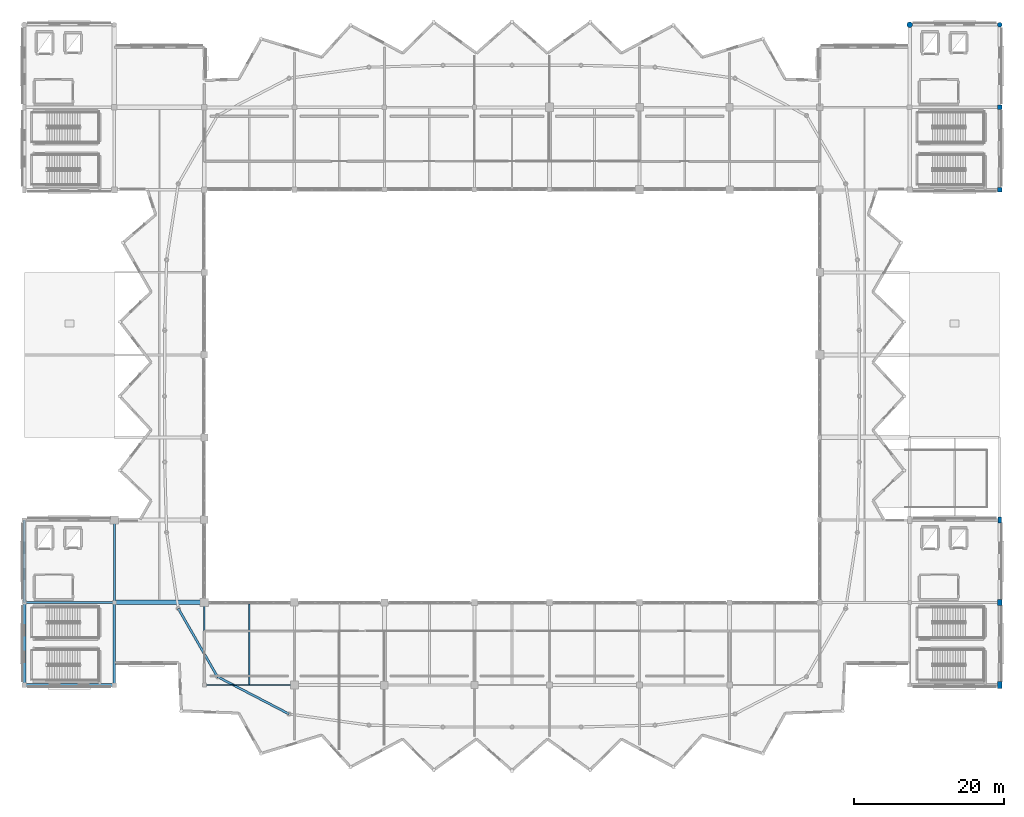
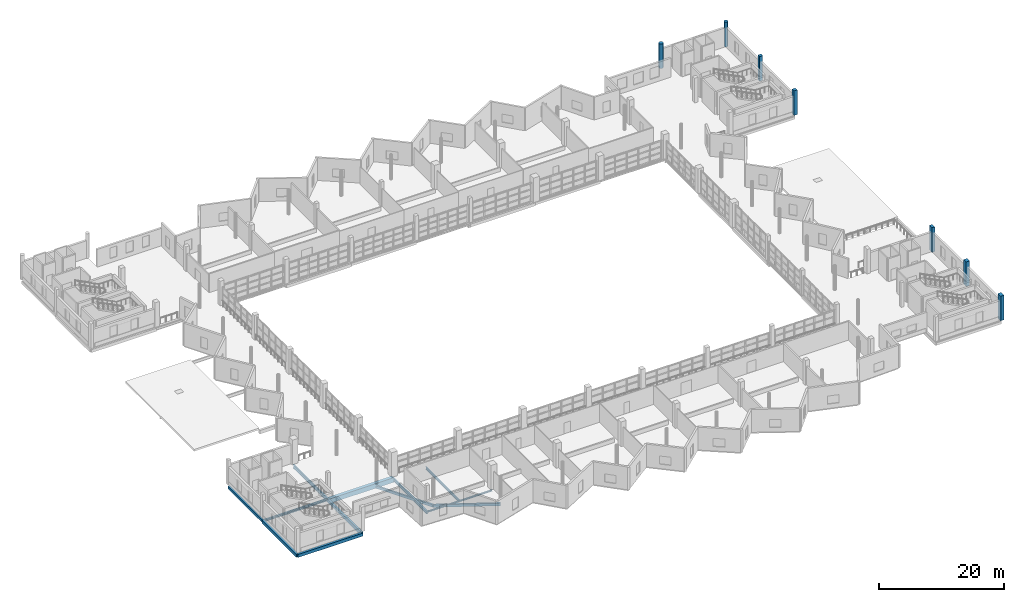
# One storey, part 10 of 53: 12 beams, 7 columns.
"""IFC4 building model written with IfcOpenShell, lengths in metres."""

from ifc_helpers import new_model, si_unit, direction, frame, origin, origin_2d, place, context, subcontext, project, spatial, rectangle, hollow_rectangle, circle, i_section, extrude, material, material_profile, profile_set, type_object, element, save


model = new_model("IFC4")

# Units and contexts
model_context = context("Model", 3, precision=1e-05, world=origin(), true_north=direction((0.0, 1.0)))
body_context = subcontext(model_context, "Body", "Model", "MODEL_VIEW")
ifc_project = project(units=[si_unit("LENGTHUNIT", "METRE"), si_unit("AREAUNIT", "SQUARE_METRE"), si_unit("VOLUMEUNIT", "CUBIC_METRE"), si_unit("PLANEANGLEUNIT", "RADIAN"), si_unit("MASSUNIT", "GRAM", prefix="KILO")], contexts=[model_context])

# Site, building, storey
site_placement = place(None, origin())
site = spatial("IfcSite", under=ifc_project, at=site_placement, CompositionType="ELEMENT")
building_placement = place(site_placement, origin())
building = spatial("IfcBuilding", under=site, at=building_placement, Name="Luwafu Chhajja Arena", CompositionType="ELEMENT")
storey_placement = place(building_placement, frame((0.0, 0.0, 19.5)))
storey = spatial("IfcBuildingStorey", under=building, at=storey_placement, Name="L04", CompositionType="ELEMENT", Elevation=19.5)

# Columns
ifc_material_1 = material(Name="Concrete C35/45", Category="concrete")
ifc_material_profile_1 = material_profile(ifc_material_1, rectangle(XDim=0.5, YDim=0.800048828125, at=origin_2d()), Name="RC 500x800")
ifc_profile_set_1 = profile_set([ifc_material_profile_1], Name="Concrete C35/45")
column_type_1 = type_object("IfcColumnType", Name="BOH Frame Column RC 500x800", PredefinedType="COLUMN", material=ifc_profile_set_1)
column_1_placement = place(storey_placement, frame((164.0, 33.0, 0.0), z_axis=(0.0, 0.0, 1.0), x_axis=(1.0, 0.0, 0.0)))
element("IfcColumn", 1, at=column_1_placement, inside=storey, type_object=column_type_1, Name="L04 Grid Column 15/D", PredefinedType="COLUMN", context=body_context, shape_type="SweptSolid", body=[
    extrude(rectangle(XDim=0.5, YDim=0.800048828125, at=origin_2d()), origin(), (0.0, 0.0, 1.0), 4.800048828125),
])
ifc_material_profile_2 = material_profile(ifc_material_1, circle(Radius=0.375, at=origin_2d()), Name="RC COL D750")
ifc_profile_set_2 = profile_set([ifc_material_profile_2], Name="Concrete C35/45")
column_type_2 = type_object("IfcColumnType", Name="Charbagh Cloister Pier D750", PredefinedType="COLUMN", material=ifc_profile_set_2)
column_2_placement = place(storey_placement, frame((152.0, 99.0, 0.0), z_axis=(0.0, 0.0, 1.0), x_axis=(1.0, 0.0, 0.0)))
element("IfcColumn", 2, at=column_2_placement, inside=storey, type_object=column_type_2, Name="L04 Grid Column 14/K", PredefinedType="COLUMN", context=body_context, shape_type="SweptSolid", body=[
    extrude(circle(Radius=0.375, at=origin_2d()), origin(), (0.0, 0.0, 1.0), 4.800048828125),
])
ifc_material_profile_3 = material_profile(ifc_material_1, circle(Radius=0.324951171875, at=origin_2d()), Name="RC COL D650")
ifc_profile_set_3 = profile_set([ifc_material_profile_3], Name="Concrete C35/45")
column_type_3 = type_object("IfcColumnType", Name="Courtyard Arcade Pier D650", PredefinedType="COLUMN", material=ifc_profile_set_3)
column_3_placement = place(storey_placement, frame((164.0, 99.0, 0.0), z_axis=(0.0, 0.0, 1.0), x_axis=(1.0, 0.0, 0.0)))
element("IfcColumn", 3, at=column_3_placement, inside=storey, type_object=column_type_3, Name="L04 Grid Column 15/K", PredefinedType="COLUMN", context=body_context, shape_type="SweptSolid", body=[
    extrude(circle(Radius=0.324951171875, at=origin_2d()), origin(), (0.0, 0.0, 1.0), 4.800048828125),
])
ifc_material_profile_4 = material_profile(ifc_material_1, rectangle(XDim=0.550048828125, YDim=0.550048828125, at=origin_2d()), Name="RC 550x550")
ifc_profile_set_4 = profile_set([ifc_material_profile_4], Name="Concrete C35/45")
column_type_4 = type_object("IfcColumnType", Name="Gallery Column RC 550", PredefinedType="COLUMN", material=ifc_profile_set_4)
column_4_placement = place(storey_placement, frame((164.0, 88.0, 0.0), z_axis=(0.0, 0.0, 1.0), x_axis=(1.0, 0.0, 0.0)))
element("IfcColumn", 4, at=column_4_placement, inside=storey, type_object=column_type_4, Name="L04 Grid Column 15/J", PredefinedType="COLUMN", context=body_context, shape_type="SweptSolid", body=[
    extrude(rectangle(XDim=0.550048828125, YDim=0.550048828125, at=origin_2d()), origin(), (0.0, 0.0, 1.0), 4.800048828125),
])
ifc_material_profile_5 = material_profile(ifc_material_1, rectangle(XDim=0.60009765625, YDim=0.60009765625, at=origin_2d()), Name="RC 600x600")
ifc_profile_set_5 = profile_set([ifc_material_profile_5], Name="Concrete C35/45")
column_type_5 = type_object("IfcColumnType", Name="Mezzanine Column RC 600", PredefinedType="COLUMN", material=ifc_profile_set_5)
column_5_placement = place(storey_placement, frame((164.0, 77.0, 0.0), z_axis=(0.0, 0.0, 1.0), x_axis=(1.0, 0.0, 0.0)))
element("IfcColumn", 5, at=column_5_placement, inside=storey, type_object=column_type_5, Name="L04 Grid Column 15/H", PredefinedType="COLUMN", context=body_context, shape_type="SweptSolid", body=[
    extrude(rectangle(XDim=0.60009765625, YDim=0.60009765625, at=origin_2d()), origin(), (0.0, 0.0, 1.0), 4.800048828125),
])
ifc_material_2 = material(Name="Concrete C40/50", Category="concrete")
ifc_material_profile_6 = material_profile(ifc_material_2, rectangle(XDim=0.60009765625, YDim=0.800048828125, at=origin_2d()), Name="RC 600x800")
ifc_profile_set_6 = profile_set([ifc_material_profile_6], Name="Concrete C40/50")
column_type_6 = type_object("IfcColumnType", Name="Pishtaq Pier Column RC 600x800", PredefinedType="COLUMN", material=ifc_profile_set_6)
column_6_placement = place(storey_placement, frame((164.0, 22.0, 0.0), z_axis=(0.0, 0.0, 1.0), x_axis=(1.0, 0.0, 0.0)))
element("IfcColumn", 6, at=column_6_placement, inside=storey, type_object=column_type_6, Name="L04 Grid Column 15/C", PredefinedType="COLUMN", context=body_context, shape_type="SweptSolid", body=[
    extrude(rectangle(XDim=0.60009765625, YDim=0.800048828125, at=origin_2d()), origin(), (0.0, 0.0, 1.0), 4.800048828125),
])
ifc_material_profile_7 = material_profile(ifc_material_2, rectangle(XDim=0.60009765625, YDim=0.89990234375, at=origin_2d()), Name="RC 600x900")
ifc_profile_set_7 = profile_set([ifc_material_profile_7], Name="Concrete C40/50")
column_type_7 = type_object("IfcColumnType", Name="Warm-Up Hall Portal Column RC 600x900", PredefinedType="COLUMN", material=ifc_profile_set_7)
column_7_placement = place(storey_placement, frame((164.0, 11.0, 0.0), z_axis=(0.0, 0.0, 1.0), x_axis=(1.0, 0.0, 0.0)))
element("IfcColumn", 7, at=column_7_placement, inside=storey, type_object=column_type_7, Name="L04 Grid Column 15/B", PredefinedType="COLUMN", context=body_context, shape_type="SweptSolid", body=[
    extrude(rectangle(XDim=0.60009765625, YDim=0.89990234375, at=origin_2d()), origin(), (0.0, 0.0, 1.0), 4.800048828125),
])

# Beams
ifc_material_profile_8 = material_profile(ifc_material_1, rectangle(XDim=0.35009765625, YDim=0.60009765625, at=origin_2d()), Name="RC 350x600")
ifc_profile_set_8 = profile_set([ifc_material_profile_8], Name="Concrete C35/45")
beam_type_1 = type_object("IfcBeamType", Name="Arcade Tie Beam RC 350x600", PredefinedType="BEAM", material=ifc_profile_set_8)
beam_1_placement = place(storey_placement, frame((46.0, 11.0, -0.68994140625), z_axis=(0.0, 1.0, 0.0), x_axis=(-1.0, 0.0, 0.0)))
element("IfcBeam", 8, at=beam_1_placement, inside=storey, type_object=beam_type_1, Name="L04 Grid Beam 5/B-C", PredefinedType="BEAM", context=body_context, shape_type="SweptSolid", body=[
    extrude(rectangle(XDim=0.35009765625, YDim=0.60009765625, at=origin_2d()), origin(), (0.0, 0.0, 1.0), 11.0),
])
ifc_material_3 = material(Name="Steel S355", Category="steel")
ifc_material_profile_9 = material_profile(ifc_material_3, i_section(OverallWidth=0.165771484375, OverallDepth=0.306640625, WebThickness=0.006591796875, FlangeThickness=0.01171875, at=origin_2d()), Name="UB 305x165x46")
ifc_profile_set_9 = profile_set([ifc_material_profile_9], Name="Steel S355")
beam_type_2 = type_object("IfcBeamType", Name="Concourse Edge Spandrel Beam UB 305x165x46", PredefinedType="SPANDREL", material=ifc_profile_set_9)
beam_2_placement = place(storey_placement, frame((58.0, 11.0, -0.543212890625), z_axis=(1.0, 0.0, 0.0), x_axis=(0.0, 1.0, 0.0)))
element("IfcBeam", 9, at=beam_2_placement, inside=storey, type_object=beam_type_2, Name="L04 Grid Beam 6-7/B", PredefinedType="SPANDREL", context=body_context, shape_type="SweptSolid", body=[
    extrude(i_section(OverallWidth=0.165771484375, OverallDepth=0.306640625, WebThickness=0.006591796875, FlangeThickness=0.01171875, at=origin_2d()), origin(), (0.0, 0.0, 1.0), 12.0),
])
ifc_material_profile_10 = material_profile(ifc_material_1, rectangle(XDim=0.60009765625, YDim=0.89990234375, at=origin_2d()), Name="RC 600x900")
ifc_profile_set_10 = profile_set([ifc_material_profile_10], Name="Concrete C35/45")
beam_type_3 = type_object("IfcBeamType", Name="Concourse Primary Girder RC 600x900", PredefinedType="BEAM", material=ifc_profile_set_10)
beam_3_placement = place(storey_placement, frame((46.0, 22.0, -0.840087890625), z_axis=(1.0, 0.0, 0.0), x_axis=(0.0, 1.0, 0.0)))
element("IfcBeam", 10, at=beam_3_placement, inside=storey, type_object=beam_type_3, Name="L04 Grid Beam 5-6/C", PredefinedType="BEAM", context=body_context, shape_type="SweptSolid", body=[
    extrude(rectangle(XDim=0.60009765625, YDim=0.89990234375, at=origin_2d()), origin(), (0.0, 0.0, 1.0), 12.0),
])
ifc_material_profile_11 = material_profile(ifc_material_3, i_section(OverallWidth=0.19140625, OverallDepth=0.4599609375, WebThickness=0.010009765625, FlangeThickness=0.01611328125, at=origin_2d()), Name="UB 457x191x82")
ifc_profile_set_11 = profile_set([ifc_material_profile_11], Name="Steel S355")
beam_type_4 = type_object("IfcBeamType", Name="Floor Joist UB 457x191x82", PredefinedType="JOIST", material=ifc_profile_set_11)
beam_4_placement = place(storey_placement, frame((64.0, 11.0830078125, -0.6201171875), z_axis=(0.0, 1.0, 0.0), x_axis=(-1.0, 0.0, 0.0)))
element("IfcBeam", 11, at=beam_4_placement, inside=storey, type_object=beam_type_4, Name="L04 Secondary Joist 6-7/B", PredefinedType="JOIST", context=body_context, shape_type="SweptSolid", body=[
    extrude(i_section(OverallWidth=0.19140625, OverallDepth=0.4599609375, WebThickness=0.010009765625, FlangeThickness=0.01611328125, at=origin_2d()), origin(), (0.0, 0.0, 1.0), 10.717041015625),
])
ifc_material_profile_12 = material_profile(ifc_material_3, hollow_rectangle(XDim=0.300048828125, YDim=0.5, WallThickness=0.02001953125, at=origin_2d()), Name="RHS 500x300x20")
ifc_profile_set_12 = profile_set([ifc_material_profile_12], Name="Steel S355")
beam_type_5 = type_object("IfcBeamType", Name="Pleated Drum Spandrel Beam RHS 500x300", PredefinedType="SPANDREL", material=ifc_profile_set_12)
beam_5_placement = place(storey_placement, frame((34.0, 22.0, -0.639892578125), z_axis=(0.0, 1.0, 0.0), x_axis=(-1.0, 0.0, 0.0)))
element("IfcBeam", 12, at=beam_5_placement, inside=storey, type_object=beam_type_5, Name="L04 Grid Beam 4/C-D", PredefinedType="SPANDREL", context=body_context, shape_type="SweptSolid", body=[
    extrude(hollow_rectangle(XDim=0.300048828125, YDim=0.5, WallThickness=0.02001953125, at=origin_2d()), origin(), (0.0, 0.0, 1.0), 11.0),
])
beam_6_placement = place(storey_placement, frame((54.52392578125, 21.194091796875, -0.639892578125), z_axis=(0.498192671921, -0.867066353657, 0.0), x_axis=(0.867066353657, 0.498192671921, 0.0)))
element("IfcBeam", 13, at=beam_6_placement, inside=storey, type_object=beam_type_5, Name="L04 Drum Ring Spandrel D20-D21", PredefinedType="SPANDREL", context=body_context, shape_type="SweptSolid", body=[
    extrude(hollow_rectangle(XDim=0.300048828125, YDim=0.5, WallThickness=0.02001953125, at=origin_2d()), origin(), (0.0, 0.0, 1.0), 10.477783203125),
])
beam_7_placement = place(storey_placement, frame((59.743896484375, 12.109130859375, -0.639892578125), z_axis=(0.886755170812, -0.462239404463, 0.0), x_axis=(0.462239404463, 0.886755170812, 0.0)))
element("IfcBeam", 14, at=beam_7_placement, inside=storey, type_object=beam_type_5, Name="L04 Drum Ring Spandrel D21-D22", PredefinedType="SPANDREL", context=body_context, shape_type="SweptSolid", body=[
    extrude(hollow_rectangle(XDim=0.300048828125, YDim=0.5, WallThickness=0.02001953125, at=origin_2d()), origin(), (0.0, 0.0, 1.0), 10.756103515625),
])
ifc_material_profile_13 = material_profile(ifc_material_1, rectangle(XDim=0.39990234375, YDim=0.60009765625, at=origin_2d()), Name="RC 400x600")
ifc_profile_set_13 = profile_set([ifc_material_profile_13], Name="Concrete C35/45")
beam_type_6 = type_object("IfcBeamType", Name="Podium Perimeter Spandrel RC 400x600", PredefinedType="SPANDREL", material=ifc_profile_set_13)
beam_8_placement = place(storey_placement, frame((34.0, 11.0, -0.68994140625), z_axis=(1.0, 0.0, 0.0), x_axis=(0.0, 1.0, 0.0)))
element("IfcBeam", 15, at=beam_8_placement, inside=storey, type_object=beam_type_6, Name="L04 Grid Beam 4-5/B", PredefinedType="SPANDREL", context=body_context, shape_type="SweptSolid", body=[
    extrude(rectangle(XDim=0.39990234375, YDim=0.60009765625, at=origin_2d()), origin(), (0.0, 0.0, 1.0), 12.0),
])
beam_9_placement = place(storey_placement, frame((34.0, 11.0, -0.68994140625), z_axis=(0.0, 1.0, 0.0), x_axis=(-1.0, 0.0, 0.0)))
element("IfcBeam", 16, at=beam_9_placement, inside=storey, type_object=beam_type_6, Name="L04 Grid Beam 4/B-C", PredefinedType="SPANDREL", context=body_context, shape_type="SweptSolid", body=[
    extrude(rectangle(XDim=0.39990234375, YDim=0.60009765625, at=origin_2d()), origin(), (0.0, 0.0, 1.0), 11.0),
])
ifc_material_profile_14 = material_profile(ifc_material_3, i_section(OverallWidth=0.253662109375, OverallDepth=0.68359375, WebThickness=0.012451171875, FlangeThickness=0.01904296875, at=origin_2d()), Name="UB 686x254x140")
ifc_profile_set_14 = profile_set([ifc_material_profile_14], Name="Steel S355")
beam_type_7 = type_object("IfcBeamType", Name="Steel Concourse Girder UB 686x254x140", PredefinedType="BEAM", material=ifc_profile_set_14)
beam_10_placement = place(storey_placement, frame((46.0, 22.0, -0.731689453125), z_axis=(0.0, 1.0, 0.0), x_axis=(-1.0, 0.0, 0.0)))
element("IfcBeam", 17, at=beam_10_placement, inside=storey, type_object=beam_type_7, Name="L04 Grid Beam 5/C-D", PredefinedType="BEAM", context=body_context, shape_type="SweptSolid", body=[
    extrude(i_section(OverallWidth=0.253662109375, OverallDepth=0.68359375, WebThickness=0.012451171875, FlangeThickness=0.01904296875, at=origin_2d()), origin(), (0.0, 0.0, 1.0), 11.0),
])
ifc_material_profile_15 = material_profile(ifc_material_3, i_section(OverallWidth=0.22900390625, OverallDepth=0.6123046875, WebThickness=0.011962890625, FlangeThickness=0.01953125, at=origin_2d()), Name="UB 610x229x125")
ifc_profile_set_15 = profile_set([ifc_material_profile_15], Name="Steel S355")
beam_type_8 = type_object("IfcBeamType", Name="Steel Mezzanine Girder UB 610x229x125", PredefinedType="BEAM", material=ifc_profile_set_15)
beam_11_placement = place(storey_placement, frame((58.0, 11.0, -0.696044921875), z_axis=(0.0, 1.0, 0.0), x_axis=(-1.0, 0.0, 0.0)))
element("IfcBeam", 18, at=beam_11_placement, inside=storey, type_object=beam_type_8, Name="L04 Grid Beam 6/B-C", PredefinedType="BEAM", context=body_context, shape_type="SweptSolid", body=[
    extrude(i_section(OverallWidth=0.22900390625, OverallDepth=0.6123046875, WebThickness=0.011962890625, FlangeThickness=0.01953125, at=origin_2d()), origin(), (0.0, 0.0, 1.0), 11.0),
])
ifc_material_profile_16 = material_profile(ifc_material_3, i_section(OverallWidth=0.300048828125, OverallDepth=0.39990234375, WebThickness=0.013427734375, FlangeThickness=0.02392578125, at=origin_2d()), Name="HEB 400")
ifc_profile_set_16 = profile_set([ifc_material_profile_16], Name="Steel S355")
beam_type_9 = type_object("IfcBeamType", Name="Steel Rigging Grid Beam HEB 400", PredefinedType="BEAM", material=ifc_profile_set_16)
beam_12_placement = place(storey_placement, frame((34.0, 22.0, -0.590087890625), z_axis=(1.0, 0.0, 0.0), x_axis=(0.0, 1.0, 0.0)))
element("IfcBeam", 19, at=beam_12_placement, inside=storey, type_object=beam_type_9, Name="L04 Grid Beam 4-5/C", PredefinedType="BEAM", context=body_context, shape_type="SweptSolid", body=[
    extrude(i_section(OverallWidth=0.300048828125, OverallDepth=0.39990234375, WebThickness=0.013427734375, FlangeThickness=0.02392578125, at=origin_2d()), origin(), (0.0, 0.0, 1.0), 12.0),
])

save(model, "model.ifc")
